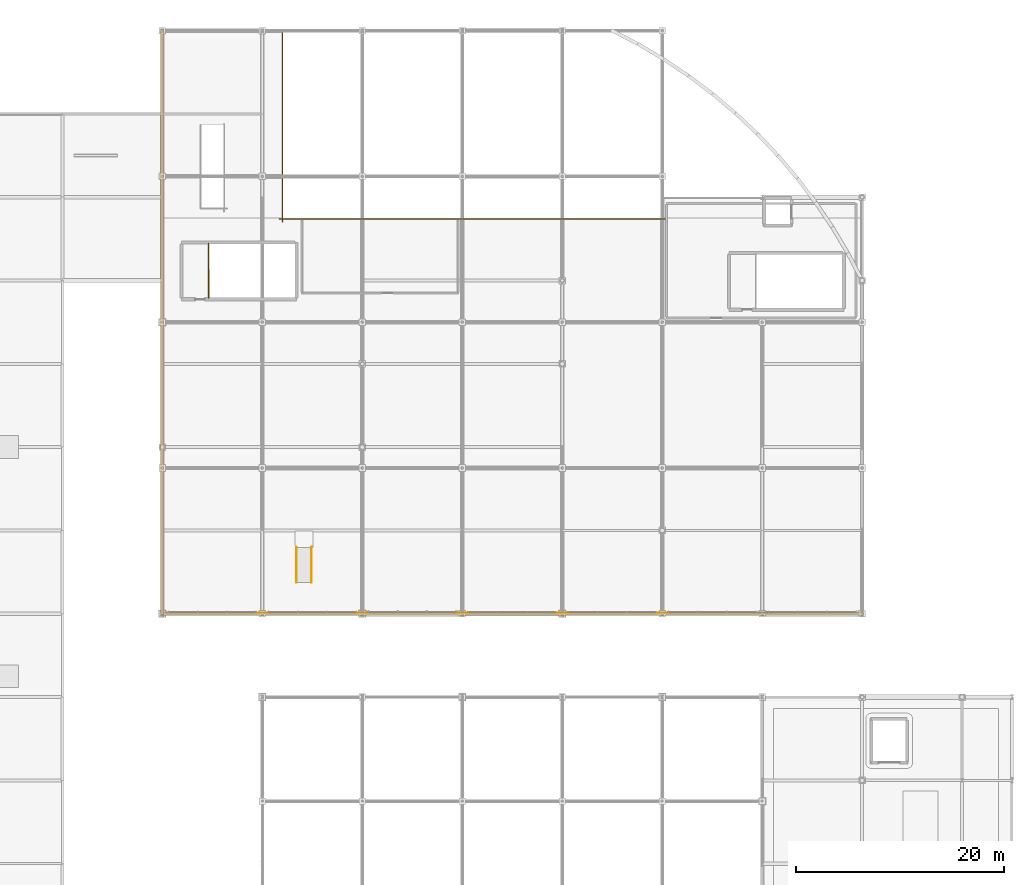
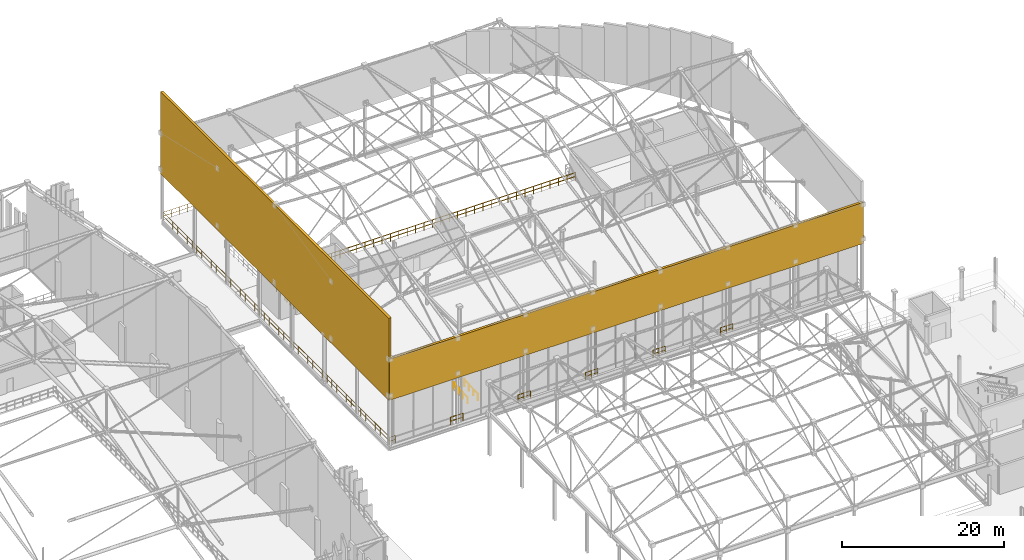
# One storey, part 189 of 193: 11 railings, 2 coverings.
"""IFC4 building model written with IfcOpenShell, lengths in metres."""

from ifc_helpers import new_model, si_unit, direction, frame, origin, origin_2d, place, context, subcontext, project, spatial, rectangle, circle, extrude, material, layer, layer_set, type_object, element, save


model = new_model("IFC4")

# Units and contexts
model_context = context("Model", 3, precision=1e-05, world=origin(), true_north=direction((0.0, 1.0)))
body_context = subcontext(model_context, "Body", "Model", "MODEL_VIEW")
ifc_project = project(units=[si_unit("LENGTHUNIT", "METRE"), si_unit("AREAUNIT", "SQUARE_METRE"), si_unit("VOLUMEUNIT", "CUBIC_METRE"), si_unit("PLANEANGLEUNIT", "RADIAN"), si_unit("MASSUNIT", "GRAM", prefix="KILO")], contexts=[model_context])

# Site, building, storey
site_placement = place(None, origin())
site = spatial("IfcSite", under=ifc_project, at=site_placement, CompositionType="ELEMENT")
building_placement = place(site_placement, origin())
building = spatial("IfcBuilding", under=site, at=building_placement, Name="Danafjord Basin Convention Centre", CompositionType="ELEMENT")
storey_placement = place(building_placement, frame((0.0, 0.0, 11.39990234375)))
storey = spatial("IfcBuildingStorey", under=building, at=storey_placement, Name="L02", CompositionType="ELEMENT", Elevation=11.39990234375)

# Coverings
ifc_material_1 = material(Name="Architectural white precast concrete C45/55", Category="concrete")
ifc_layer = layer(ifc_material_1, 0.320068359375)
ifc_layer_set = layer_set([ifc_layer], Name="Architectural white precast concrete C45/55")
covering_type = type_object("IfcCoveringType", Name="COV-BAND-HORIZ", PredefinedType="CLADDING", material=ifc_layer_set)
covering_1_placement = place(storey_placement, frame((168.0, 88.0, 6.900146484375), z_axis=(0.0, 0.0, 1.0), x_axis=(1.0, 0.0, 0.0)))
element("IfcCovering", 1, at=covering_1_placement, inside=storey, type_object=covering_type, Name="Plenary hall upper wave-eave acoustic enclosure panel 1", PredefinedType="CLADDING", context=body_context, shape_type="SweptSolid", body=[
    extrude(rectangle(XDim=67.449951171875, YDim=0.340087890625, at=origin_2d()), origin(), (0.0, 0.0, 1.0), 6.205078125),
])
covering_2_placement = place(storey_placement, frame((134.39990234375, 116.0, 6.89990234375), z_axis=(0.0, 0.0, 1.0), x_axis=(0.0, -1.0, 0.0)))
element("IfcCovering", 2, at=covering_2_placement, inside=storey, type_object=covering_type, Name="Plenary hall upper wave-eave acoustic enclosure panel 16", PredefinedType="CLADDING", context=body_context, shape_type="SweptSolid", body=[
    extrude(rectangle(XDim=56.25, YDim=0.340087890625, at=origin_2d()), origin(), (0.0, 0.0, 1.0), 12.342041015625),
])

# Railings
ifc_material_2 = material(Name="Laminated structural glass and stainless steel", Category="steel")
railing_type_1 = type_object("IfcRailingType", Name="RL-BAL-GLS", PredefinedType="BALUSTRADE", material=ifc_material_2)
for number, where, name in (
    (3, (183.280029296875, 88.080078125, 0.0), "L02 safety guard balustrade 155"),
    (4, (173.679931640625, 88.080078125, 0.0), "L02 safety guard balustrade 156"),
    (5, (164.080078125, 88.080078125, 0.0), "L02 safety guard balustrade 157"),
    (6, (154.47998046875, 88.080078125, 0.0), "L02 safety guard balustrade 158"),
):
    element("IfcRailing", number, at=place(storey_placement, frame(where)), inside=storey, type_object=railing_type_1, Name=name, PredefinedType="BALUSTRADE", context=body_context, shape_type="SweptSolid", body=[
        extrude(circle(Radius=0.02392578125, at=origin_2d()), frame((0.0, 0.0, 1.1259765625), z_axis=(-1.0, 0.0, 0.0), x_axis=(0.0, -1.0, 0.0)), (0.0, 0.0, 1.0), 1.760009765625),
        extrude(circle(Radius=0.02392578125, at=origin_2d()), frame((0.0, 0.0, 0.55078125), z_axis=(-1.0, 0.0, 0.0), x_axis=(0.0, -1.0, 0.0)), (0.0, 0.0, 1.0), 1.760009765625),
        extrude(circle(Radius=0.02099609375, at=origin_2d()), origin(), (0.0, 0.0, 1.0), 1.099853515625),
        extrude(circle(Radius=0.02099609375, at=origin_2d()), frame((-0.8798828125, 0.0, 0.0)), (0.0, 0.0, 1.0), 1.099853515625),
        extrude(circle(Radius=0.02099609375, at=origin_2d()), frame((-1.760009765625, 0.0, 0.0)), (0.0, 0.0, 1.0), 1.099853515625),
    ])
railing_1_placement = place(storey_placement, frame((144.8798828125, 88.080078125, 0.0)))
element("IfcRailing", 7, at=railing_1_placement, inside=storey, type_object=railing_type_1, Name="L02 safety guard balustrade 159", PredefinedType="BALUSTRADE", context=body_context, shape_type="SweptSolid", body=[
    extrude(circle(Radius=0.02392578125, at=origin_2d()), frame((0.0, 0.0, 1.1259765625), z_axis=(-1.0, 0.0, 0.0), x_axis=(0.0, -1.0, 0.0)), (0.0, 0.0, 1.0), 1.759765625),
    extrude(circle(Radius=0.02392578125, at=origin_2d()), frame((0.0, 0.0, 0.55078125), z_axis=(-1.0, 0.0, 0.0), x_axis=(0.0, -1.0, 0.0)), (0.0, 0.0, 1.0), 1.759765625),
    extrude(circle(Radius=0.02099609375, at=origin_2d()), origin(), (0.0, 0.0, 1.0), 1.099853515625),
    extrude(circle(Radius=0.02099609375, at=origin_2d()), frame((-0.8798828125, 0.0, 0.0)), (0.0, 0.0, 1.0), 1.099853515625),
    extrude(circle(Radius=0.02099609375, at=origin_2d()), frame((-1.759765625, 0.0, 0.0)), (0.0, 0.0, 1.0), 1.099853515625),
])
railing_2_placement = place(storey_placement, frame((135.280029296875, 88.080078125, 0.0)))
element("IfcRailing", 8, at=railing_2_placement, inside=storey, type_object=railing_type_1, Name="L02 safety guard balustrade 160", PredefinedType="BALUSTRADE", context=body_context, shape_type="SweptSolid", body=[
    extrude(circle(Radius=0.02392578125, at=origin_2d()), frame((0.0, 0.0, 1.1259765625), z_axis=(-1.0, 0.0, 0.0), x_axis=(0.0, -1.0, 0.0)), (0.0, 0.0, 1.0), 0.800048828125),
    extrude(circle(Radius=0.02392578125, at=origin_2d()), frame((0.0, 0.0, 0.55078125), z_axis=(-1.0, 0.0, 0.0), x_axis=(0.0, -1.0, 0.0)), (0.0, 0.0, 1.0), 0.800048828125),
    extrude(circle(Radius=0.02392578125, at=origin_2d()), frame((-0.800048828125, 0.0, 1.1259765625), z_axis=(0.0, 1.0, 0.0), x_axis=(-1.0, 0.0, 0.0)), (0.0, 0.0, 1.0), 55.83984375),
    extrude(circle(Radius=0.02392578125, at=origin_2d()), frame((-0.800048828125, 0.0, 0.55078125), z_axis=(0.0, 1.0, 0.0), x_axis=(-1.0, 0.0, 0.0)), (0.0, 0.0, 1.0), 55.83984375),
    extrude(circle(Radius=0.02392578125, at=origin_2d()), frame((-0.800048828125, 55.83984375, 1.1259765625), z_axis=(1.0, 0.0, 0.0), x_axis=(0.0, 1.0, 0.0)), (0.0, 0.0, 1.0), 11.43994140625),
    extrude(circle(Radius=0.02392578125, at=origin_2d()), frame((-0.800048828125, 55.83984375, 0.55078125), z_axis=(1.0, 0.0, 0.0), x_axis=(0.0, 1.0, 0.0)), (0.0, 0.0, 1.0), 11.43994140625),
    extrude(circle(Radius=0.02392578125, at=origin_2d()), frame((10.639892578125, 55.83984375, 1.1259765625), z_axis=(0.0, -1.0, 0.0), x_axis=(1.0, 0.0, 0.0)), (0.0, 0.0, 1.0), 18.280029296875),
    extrude(circle(Radius=0.02392578125, at=origin_2d()), frame((10.639892578125, 55.83984375, 0.55078125), z_axis=(0.0, -1.0, 0.0), x_axis=(1.0, 0.0, 0.0)), (0.0, 0.0, 1.0), 18.280029296875),
    extrude(circle(Radius=0.02099609375, at=origin_2d()), origin(), (0.0, 0.0, 1.0), 1.099853515625),
    extrude(circle(Radius=0.02099609375, at=origin_2d()), frame((-0.800048828125, 0.0, 0.0)), (0.0, 0.0, 1.0), 1.099853515625),
    extrude(circle(Radius=0.02099609375, at=origin_2d()), frame((-0.800048828125, 1.18798828125, 0.0)), (0.0, 0.0, 1.0), 1.099853515625),
    extrude(circle(Radius=0.02099609375, at=origin_2d()), frame((-0.800048828125, 2.376220703125, 0.0)), (0.0, 0.0, 1.0), 1.099853515625),
    extrude(circle(Radius=0.02099609375, at=origin_2d()), frame((-0.800048828125, 3.564208984375, 0.0)), (0.0, 0.0, 1.0), 1.099853515625),
    extrude(circle(Radius=0.02099609375, at=origin_2d()), frame((-0.800048828125, 4.75244140625, 0.0)), (0.0, 0.0, 1.0), 1.099853515625),
    extrude(circle(Radius=0.02099609375, at=origin_2d()), frame((-0.800048828125, 5.9404296875, 0.0)), (0.0, 0.0, 1.0), 1.099853515625),
    extrude(circle(Radius=0.02099609375, at=origin_2d()), frame((-0.800048828125, 7.12841796875, 0.0)), (0.0, 0.0, 1.0), 1.099853515625),
    extrude(circle(Radius=0.02099609375, at=origin_2d()), frame((-0.800048828125, 8.316650390625, 0.0)), (0.0, 0.0, 1.0), 1.099853515625),
    extrude(circle(Radius=0.02099609375, at=origin_2d()), frame((-0.800048828125, 9.504638671875, 0.0)), (0.0, 0.0, 1.0), 1.099853515625),
    extrude(circle(Radius=0.02099609375, at=origin_2d()), frame((-0.800048828125, 10.692626953125, 0.0)), (0.0, 0.0, 1.0), 1.099853515625),
    extrude(circle(Radius=0.02099609375, at=origin_2d()), frame((-0.800048828125, 11.880859375, 0.0)), (0.0, 0.0, 1.0), 1.099853515625),
    extrude(circle(Radius=0.02099609375, at=origin_2d()), frame((-0.800048828125, 13.06884765625, 0.0)), (0.0, 0.0, 1.0), 1.099853515625),
    extrude(circle(Radius=0.02099609375, at=origin_2d()), frame((-0.800048828125, 14.257080078125, 0.0)), (0.0, 0.0, 1.0), 1.099853515625),
    extrude(circle(Radius=0.02099609375, at=origin_2d()), frame((-0.800048828125, 15.445068359375, 0.0)), (0.0, 0.0, 1.0), 1.099853515625),
    extrude(circle(Radius=0.02099609375, at=origin_2d()), frame((-0.800048828125, 16.633056640625, 0.0)), (0.0, 0.0, 1.0), 1.099853515625),
    extrude(circle(Radius=0.02099609375, at=origin_2d()), frame((-0.800048828125, 17.8212890625, 0.0)), (0.0, 0.0, 1.0), 1.099853515625),
    extrude(circle(Radius=0.02099609375, at=origin_2d()), frame((-0.800048828125, 19.00927734375, 0.0)), (0.0, 0.0, 1.0), 1.099853515625),
    extrude(circle(Radius=0.02099609375, at=origin_2d()), frame((-0.800048828125, 20.197509765625, 0.0)), (0.0, 0.0, 1.0), 1.099853515625),
    extrude(circle(Radius=0.02099609375, at=origin_2d()), frame((-0.800048828125, 21.385498046875, 0.0)), (0.0, 0.0, 1.0), 1.099853515625),
    extrude(circle(Radius=0.02099609375, at=origin_2d()), frame((-0.800048828125, 22.573486328125, 0.0)), (0.0, 0.0, 1.0), 1.099853515625),
    extrude(circle(Radius=0.02099609375, at=origin_2d()), frame((-0.800048828125, 23.76171875, 0.0)), (0.0, 0.0, 1.0), 1.099853515625),
    extrude(circle(Radius=0.02099609375, at=origin_2d()), frame((-0.800048828125, 24.94970703125, 0.0)), (0.0, 0.0, 1.0), 1.099853515625),
    extrude(circle(Radius=0.02099609375, at=origin_2d()), frame((-0.800048828125, 26.1376953125, 0.0)), (0.0, 0.0, 1.0), 1.099853515625),
    extrude(circle(Radius=0.02099609375, at=origin_2d()), frame((-0.800048828125, 27.325927734375, 0.0)), (0.0, 0.0, 1.0), 1.099853515625),
    extrude(circle(Radius=0.02099609375, at=origin_2d()), frame((-0.800048828125, 28.513916015625, 0.0)), (0.0, 0.0, 1.0), 1.099853515625),
    extrude(circle(Radius=0.02099609375, at=origin_2d()), frame((-0.800048828125, 29.7021484375, 0.0)), (0.0, 0.0, 1.0), 1.099853515625),
    extrude(circle(Radius=0.02099609375, at=origin_2d()), frame((-0.800048828125, 30.89013671875, 0.0)), (0.0, 0.0, 1.0), 1.099853515625),
    extrude(circle(Radius=0.02099609375, at=origin_2d()), frame((-0.800048828125, 32.078125, 0.0)), (0.0, 0.0, 1.0), 1.099853515625),
    extrude(circle(Radius=0.02099609375, at=origin_2d()), frame((-0.800048828125, 33.266357421875, 0.0)), (0.0, 0.0, 1.0), 1.099853515625),
    extrude(circle(Radius=0.02099609375, at=origin_2d()), frame((-0.800048828125, 34.454345703125, 0.0)), (0.0, 0.0, 1.0), 1.099853515625),
    extrude(circle(Radius=0.02099609375, at=origin_2d()), frame((-0.800048828125, 35.642333984375, 0.0)), (0.0, 0.0, 1.0), 1.099853515625),
    extrude(circle(Radius=0.02099609375, at=origin_2d()), frame((-0.800048828125, 36.83056640625, 0.0)), (0.0, 0.0, 1.0), 1.099853515625),
    extrude(circle(Radius=0.02099609375, at=origin_2d()), frame((-0.800048828125, 38.0185546875, 0.0)), (0.0, 0.0, 1.0), 1.099853515625),
    extrude(circle(Radius=0.02099609375, at=origin_2d()), frame((-0.800048828125, 39.206787109375, 0.0)), (0.0, 0.0, 1.0), 1.099853515625),
    extrude(circle(Radius=0.02099609375, at=origin_2d()), frame((-0.800048828125, 40.394775390625, 0.0)), (0.0, 0.0, 1.0), 1.099853515625),
    extrude(circle(Radius=0.02099609375, at=origin_2d()), frame((-0.800048828125, 41.582763671875, 0.0)), (0.0, 0.0, 1.0), 1.099853515625),
    extrude(circle(Radius=0.02099609375, at=origin_2d()), frame((-0.800048828125, 42.77099609375, 0.0)), (0.0, 0.0, 1.0), 1.099853515625),
    extrude(circle(Radius=0.02099609375, at=origin_2d()), frame((-0.800048828125, 43.958984375, 0.0)), (0.0, 0.0, 1.0), 1.099853515625),
    extrude(circle(Radius=0.02099609375, at=origin_2d()), frame((-0.800048828125, 45.147216796875, 0.0)), (0.0, 0.0, 1.0), 1.099853515625),
    extrude(circle(Radius=0.02099609375, at=origin_2d()), frame((-0.800048828125, 46.335205078125, 0.0)), (0.0, 0.0, 1.0), 1.099853515625),
    extrude(circle(Radius=0.02099609375, at=origin_2d()), frame((-0.800048828125, 47.523193359375, 0.0)), (0.0, 0.0, 1.0), 1.099853515625),
    extrude(circle(Radius=0.02099609375, at=origin_2d()), frame((-0.800048828125, 48.71142578125, 0.0)), (0.0, 0.0, 1.0), 1.099853515625),
    extrude(circle(Radius=0.02099609375, at=origin_2d()), frame((-0.800048828125, 49.8994140625, 0.0)), (0.0, 0.0, 1.0), 1.099853515625),
    extrude(circle(Radius=0.02099609375, at=origin_2d()), frame((-0.800048828125, 51.08740234375, 0.0)), (0.0, 0.0, 1.0), 1.099853515625),
    extrude(circle(Radius=0.02099609375, at=origin_2d()), frame((-0.800048828125, 52.275634765625, 0.0)), (0.0, 0.0, 1.0), 1.099853515625),
    extrude(circle(Radius=0.02099609375, at=origin_2d()), frame((-0.800048828125, 53.463623046875, 0.0)), (0.0, 0.0, 1.0), 1.099853515625),
    extrude(circle(Radius=0.02099609375, at=origin_2d()), frame((-0.800048828125, 54.65185546875, 0.0)), (0.0, 0.0, 1.0), 1.099853515625),
    extrude(circle(Radius=0.02099609375, at=origin_2d()), frame((-0.800048828125, 55.83984375, 0.0)), (0.0, 0.0, 1.0), 1.099853515625),
    extrude(circle(Radius=0.02099609375, at=origin_2d()), frame((0.343994140625, 55.83984375, 0.0)), (0.0, 0.0, 1.0), 1.099853515625),
    extrude(circle(Radius=0.02099609375, at=origin_2d()), frame((1.488037109375, 55.83984375, 0.0)), (0.0, 0.0, 1.0), 1.099853515625),
    extrude(circle(Radius=0.02099609375, at=origin_2d()), frame((2.6318359375, 55.83984375, 0.0)), (0.0, 0.0, 1.0), 1.099853515625),
    extrude(circle(Radius=0.02099609375, at=origin_2d()), frame((3.77587890625, 55.83984375, 0.0)), (0.0, 0.0, 1.0), 1.099853515625),
    extrude(circle(Radius=0.02099609375, at=origin_2d()), frame((4.919921875, 55.83984375, 0.0)), (0.0, 0.0, 1.0), 1.099853515625),
    extrude(circle(Radius=0.02099609375, at=origin_2d()), frame((6.06396484375, 55.83984375, 0.0)), (0.0, 0.0, 1.0), 1.099853515625),
    extrude(circle(Radius=0.02099609375, at=origin_2d()), frame((7.2080078125, 55.83984375, 0.0)), (0.0, 0.0, 1.0), 1.099853515625),
    extrude(circle(Radius=0.02099609375, at=origin_2d()), frame((8.351806640625, 55.83984375, 0.0)), (0.0, 0.0, 1.0), 1.099853515625),
    extrude(circle(Radius=0.02099609375, at=origin_2d()), frame((9.495849609375, 55.83984375, 0.0)), (0.0, 0.0, 1.0), 1.099853515625),
    extrude(circle(Radius=0.02099609375, at=origin_2d()), frame((10.639892578125, 55.83984375, 0.0)), (0.0, 0.0, 1.0), 1.099853515625),
    extrude(circle(Radius=0.02099609375, at=origin_2d()), frame((10.639892578125, 54.697265625, 0.0)), (0.0, 0.0, 1.0), 1.099853515625),
    extrude(circle(Radius=0.02099609375, at=origin_2d()), frame((10.639892578125, 53.554931640625, 0.0)), (0.0, 0.0, 1.0), 1.099853515625),
    extrude(circle(Radius=0.02099609375, at=origin_2d()), frame((10.639892578125, 52.412353515625, 0.0)), (0.0, 0.0, 1.0), 1.099853515625),
    extrude(circle(Radius=0.02099609375, at=origin_2d()), frame((10.639892578125, 51.269775390625, 0.0)), (0.0, 0.0, 1.0), 1.099853515625),
    extrude(circle(Radius=0.02099609375, at=origin_2d()), frame((10.639892578125, 50.12744140625, 0.0)), (0.0, 0.0, 1.0), 1.099853515625),
    extrude(circle(Radius=0.02099609375, at=origin_2d()), frame((10.639892578125, 48.98486328125, 0.0)), (0.0, 0.0, 1.0), 1.099853515625),
    extrude(circle(Radius=0.02099609375, at=origin_2d()), frame((10.639892578125, 47.84228515625, 0.0)), (0.0, 0.0, 1.0), 1.099853515625),
    extrude(circle(Radius=0.02099609375, at=origin_2d()), frame((10.639892578125, 46.69970703125, 0.0)), (0.0, 0.0, 1.0), 1.099853515625),
    extrude(circle(Radius=0.02099609375, at=origin_2d()), frame((10.639892578125, 45.557373046875, 0.0)), (0.0, 0.0, 1.0), 1.099853515625),
    extrude(circle(Radius=0.02099609375, at=origin_2d()), frame((10.639892578125, 44.414794921875, 0.0)), (0.0, 0.0, 1.0), 1.099853515625),
    extrude(circle(Radius=0.02099609375, at=origin_2d()), frame((10.639892578125, 43.272216796875, 0.0)), (0.0, 0.0, 1.0), 1.099853515625),
    extrude(circle(Radius=0.02099609375, at=origin_2d()), frame((10.639892578125, 42.1298828125, 0.0)), (0.0, 0.0, 1.0), 1.099853515625),
    extrude(circle(Radius=0.02099609375, at=origin_2d()), frame((10.639892578125, 40.9873046875, 0.0)), (0.0, 0.0, 1.0), 1.099853515625),
    extrude(circle(Radius=0.02099609375, at=origin_2d()), frame((10.639892578125, 39.8447265625, 0.0)), (0.0, 0.0, 1.0), 1.099853515625),
    extrude(circle(Radius=0.02099609375, at=origin_2d()), frame((10.639892578125, 38.702392578125, 0.0)), (0.0, 0.0, 1.0), 1.099853515625),
    extrude(circle(Radius=0.02099609375, at=origin_2d()), frame((10.639892578125, 37.559814453125, 0.0)), (0.0, 0.0, 1.0), 1.099853515625),
])
railing_3_placement = place(storey_placement, frame((138.85009765625, 123.550048828125, 0.0)))
element("IfcRailing", 9, at=railing_3_placement, inside=storey, type_object=railing_type_1, Name="L02 safety guard balustrade 162", PredefinedType="BALUSTRADE", context=body_context, shape_type="SweptSolid", body=[
    extrude(circle(Radius=0.02392578125, at=origin_2d()), frame((0.0, 0.0, 1.1259765625), z_axis=(0.0, -1.0, 0.0), x_axis=(1.0, 0.0, 0.0)), (0.0, 0.0, 1.0), 5.239990234375),
    extrude(circle(Radius=0.02392578125, at=origin_2d()), frame((0.0, 0.0, 0.55078125), z_axis=(0.0, -1.0, 0.0), x_axis=(1.0, 0.0, 0.0)), (0.0, 0.0, 1.0), 5.239990234375),
    extrude(circle(Radius=0.02099609375, at=origin_2d()), origin(), (0.0, 0.0, 1.0), 1.099853515625),
    extrude(circle(Radius=0.02099609375, at=origin_2d()), frame((0.0, -1.048095703125, 0.0)), (0.0, 0.0, 1.0), 1.099853515625),
    extrude(circle(Radius=0.02099609375, at=origin_2d()), frame((0.0, -2.095947265625, 0.0)), (0.0, 0.0, 1.0), 1.099853515625),
    extrude(circle(Radius=0.02099609375, at=origin_2d()), frame((0.0, -3.14404296875, 0.0)), (0.0, 0.0, 1.0), 1.099853515625),
    extrude(circle(Radius=0.02099609375, at=origin_2d()), frame((0.0, -4.19189453125, 0.0)), (0.0, 0.0, 1.0), 1.099853515625),
    extrude(circle(Radius=0.02099609375, at=origin_2d()), frame((0.0, -5.239990234375, 0.0)), (0.0, 0.0, 1.0), 1.099853515625),
])
ifc_material_3 = material(Name="Galvanised and powder-coated steel S355", Category="steel")
railing_type_2 = type_object("IfcRailingType", Name="RL-BAL-STL", PredefinedType="BALUSTRADE", material=ifc_material_3)
railing_4_placement = place(storey_placement, frame((145.639892578125, 125.919921875, 0.0)))
element("IfcRailing", 10, at=railing_4_placement, inside=storey, type_object=railing_type_2, Name="L02 safety guard balustrade 149", PredefinedType="BALUSTRADE", context=body_context, shape_type="SweptSolid", body=[
    extrude(circle(Radius=0.02392578125, at=origin_2d()), frame((0.0, 0.0, 1.1259765625), z_axis=(1.0, 0.0, 0.0), x_axis=(0.0, 1.0, 0.0)), (0.0, 0.0, 1.0), 37.09814453125),
    extrude(circle(Radius=0.02392578125, at=origin_2d()), frame((0.0, 0.0, 0.55078125), z_axis=(1.0, 0.0, 0.0), x_axis=(0.0, 1.0, 0.0)), (0.0, 0.0, 1.0), 37.09814453125),
    extrude(circle(Radius=0.02099609375, at=origin_2d()), origin(), (0.0, 0.0, 1.0), 1.099853515625),
    extrude(circle(Radius=0.02099609375, at=origin_2d()), frame((1.19677734375, 0.0, 0.0)), (0.0, 0.0, 1.0), 1.099853515625),
    extrude(circle(Radius=0.02099609375, at=origin_2d()), frame((2.393310546875, 0.0, 0.0)), (0.0, 0.0, 1.0), 1.099853515625),
    extrude(circle(Radius=0.02099609375, at=origin_2d()), frame((3.590087890625, 0.0, 0.0)), (0.0, 0.0, 1.0), 1.099853515625),
    extrude(circle(Radius=0.02099609375, at=origin_2d()), frame((4.786865234375, 0.0, 0.0)), (0.0, 0.0, 1.0), 1.099853515625),
    extrude(circle(Radius=0.02099609375, at=origin_2d()), frame((5.983642578125, 0.0, 0.0)), (0.0, 0.0, 1.0), 1.099853515625),
    extrude(circle(Radius=0.02099609375, at=origin_2d()), frame((7.18017578125, 0.0, 0.0)), (0.0, 0.0, 1.0), 1.099853515625),
    extrude(circle(Radius=0.02099609375, at=origin_2d()), frame((8.376953125, 0.0, 0.0)), (0.0, 0.0, 1.0), 1.099853515625),
    extrude(circle(Radius=0.02099609375, at=origin_2d()), frame((9.57373046875, 0.0, 0.0)), (0.0, 0.0, 1.0), 1.099853515625),
    extrude(circle(Radius=0.02099609375, at=origin_2d()), frame((10.7705078125, 0.0, 0.0)), (0.0, 0.0, 1.0), 1.099853515625),
    extrude(circle(Radius=0.02099609375, at=origin_2d()), frame((11.967041015625, 0.0, 0.0)), (0.0, 0.0, 1.0), 1.099853515625),
    extrude(circle(Radius=0.02099609375, at=origin_2d()), frame((13.163818359375, 0.0, 0.0)), (0.0, 0.0, 1.0), 1.099853515625),
    extrude(circle(Radius=0.02099609375, at=origin_2d()), frame((14.360595703125, 0.0, 0.0)), (0.0, 0.0, 1.0), 1.099853515625),
    extrude(circle(Radius=0.02099609375, at=origin_2d()), frame((15.557373046875, 0.0, 0.0)), (0.0, 0.0, 1.0), 1.099853515625),
    extrude(circle(Radius=0.02099609375, at=origin_2d()), frame((16.75390625, 0.0, 0.0)), (0.0, 0.0, 1.0), 1.099853515625),
    extrude(circle(Radius=0.02099609375, at=origin_2d()), frame((17.95068359375, 0.0, 0.0)), (0.0, 0.0, 1.0), 1.099853515625),
    extrude(circle(Radius=0.02099609375, at=origin_2d()), frame((19.1474609375, 0.0, 0.0)), (0.0, 0.0, 1.0), 1.099853515625),
    extrude(circle(Radius=0.02099609375, at=origin_2d()), frame((20.34423828125, 0.0, 0.0)), (0.0, 0.0, 1.0), 1.099853515625),
    extrude(circle(Radius=0.02099609375, at=origin_2d()), frame((21.540771484375, 0.0, 0.0)), (0.0, 0.0, 1.0), 1.099853515625),
    extrude(circle(Radius=0.02099609375, at=origin_2d()), frame((22.737548828125, 0.0, 0.0)), (0.0, 0.0, 1.0), 1.099853515625),
    extrude(circle(Radius=0.02099609375, at=origin_2d()), frame((23.934326171875, 0.0, 0.0)), (0.0, 0.0, 1.0), 1.099853515625),
    extrude(circle(Radius=0.02099609375, at=origin_2d()), frame((25.131103515625, 0.0, 0.0)), (0.0, 0.0, 1.0), 1.099853515625),
    extrude(circle(Radius=0.02099609375, at=origin_2d()), frame((26.32763671875, 0.0, 0.0)), (0.0, 0.0, 1.0), 1.099853515625),
    extrude(circle(Radius=0.02099609375, at=origin_2d()), frame((27.5244140625, 0.0, 0.0)), (0.0, 0.0, 1.0), 1.099853515625),
    extrude(circle(Radius=0.02099609375, at=origin_2d()), frame((28.72119140625, 0.0, 0.0)), (0.0, 0.0, 1.0), 1.099853515625),
    extrude(circle(Radius=0.02099609375, at=origin_2d()), frame((29.91796875, 0.0, 0.0)), (0.0, 0.0, 1.0), 1.099853515625),
    extrude(circle(Radius=0.02099609375, at=origin_2d()), frame((31.114501953125, 0.0, 0.0)), (0.0, 0.0, 1.0), 1.099853515625),
    extrude(circle(Radius=0.02099609375, at=origin_2d()), frame((32.311279296875, 0.0, 0.0)), (0.0, 0.0, 1.0), 1.099853515625),
    extrude(circle(Radius=0.02099609375, at=origin_2d()), frame((33.508056640625, 0.0, 0.0)), (0.0, 0.0, 1.0), 1.099853515625),
    extrude(circle(Radius=0.02099609375, at=origin_2d()), frame((34.704833984375, 0.0, 0.0)), (0.0, 0.0, 1.0), 1.099853515625),
    extrude(circle(Radius=0.02099609375, at=origin_2d()), frame((35.9013671875, 0.0, 0.0)), (0.0, 0.0, 1.0), 1.099853515625),
    extrude(circle(Radius=0.02099609375, at=origin_2d()), frame((37.09814453125, 0.0, 0.0)), (0.0, 0.0, 1.0), 1.099853515625),
])
ifc_material_4 = material(Name="Galvanised steel S355", Category="steel")
railing_type_3 = type_object("IfcRailingType", Name="RL-GD-WELL", PredefinedType="BALUSTRADE", material=ifc_material_4)
railing_5_placement = place(storey_placement, frame((138.8798828125, 118.360107421875, 0.0)))
element("IfcRailing", 11, at=railing_5_placement, inside=storey, type_object=railing_type_3, Name="L02 ST-12 top well guard 1", PredefinedType="BALUSTRADE", context=body_context, shape_type="SweptSolid", body=[
    extrude(circle(Radius=0.02392578125, at=origin_2d()), frame((0.0, 0.0, 1.076171875), z_axis=(0.0, 1.0, 0.0), x_axis=(-1.0, 0.0, 0.0)), (0.0, 0.0, 1.0), 2.639892578125),
    extrude(circle(Radius=0.02392578125, at=origin_2d()), frame((0.0, 0.0, 0.52587890625), z_axis=(0.0, 1.0, 0.0), x_axis=(-1.0, 0.0, 0.0)), (0.0, 0.0, 1.0), 2.639892578125),
    extrude(circle(Radius=0.02099609375, at=origin_2d()), origin(), (0.0, 0.0, 1.0), 1.050048828125),
    extrude(circle(Radius=0.02099609375, at=origin_2d()), frame((0.0, 0.8798828125, 0.0)), (0.0, 0.0, 1.0), 1.050048828125),
    extrude(circle(Radius=0.02099609375, at=origin_2d()), frame((0.0, 1.760009765625, 0.0)), (0.0, 0.0, 1.0), 1.050048828125),
    extrude(circle(Radius=0.02099609375, at=origin_2d()), frame((0.0, 2.639892578125, 0.0)), (0.0, 0.0, 1.0), 1.050048828125),
])
ifc_material_5 = material(Name="Brushed stainless steel EN 1.4404", Category="steel")
railing_type_4 = type_object("IfcRailingType", Name="RL-HR-STAIR", PredefinedType="HANDRAIL", material=ifc_material_5)
for number, where, name in (
    (12, (147.260009765625, 91.0, 0.0), "AR-06 handrail L"),
    (13, (148.739990234375, 91.0, 0.0), "AR-06 handrail R"),
):
    element("IfcRailing", number, at=place(storey_placement, frame(where)), inside=storey, type_object=railing_type_4, Name=name, PredefinedType="HANDRAIL", context=body_context, shape_type="SweptSolid", body=[
        extrude(circle(Radius=0.02392578125, at=origin_2d()), frame((0.0, 0.0, 0.89599609375), z_axis=(0.0, 0.998270910836, 0.058780852139), x_axis=(-1.0, 0.0, 0.0)), (0.0, 0.0, 1.0), 3.40576171875),
        extrude(circle(Radius=0.02099609375, at=origin_2d()), origin(), (0.0, 0.0, 1.0), 0.869873046875),
        extrude(circle(Radius=0.02099609375, at=origin_2d()), frame((0.0, 1.13330078125, 0.0)), (0.0, 0.0, 1.0), 0.869873046875),
        extrude(circle(Radius=0.02099609375, at=origin_2d()), frame((0.0, 2.2666015625, 0.0)), (0.0, 0.0, 1.0), 0.869873046875),
        extrude(circle(Radius=0.02099609375, at=origin_2d()), frame((0.0, 3.39990234375, 0.0)), (0.0, 0.0, 1.0), 0.869873046875),
    ])

save(model, "model.ifc")
